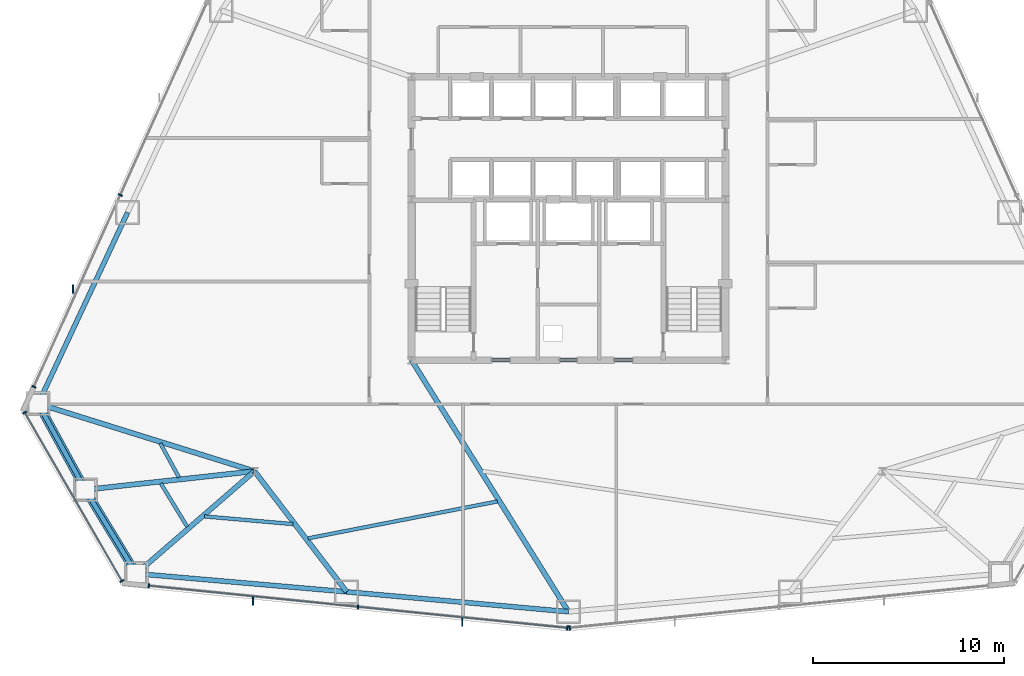
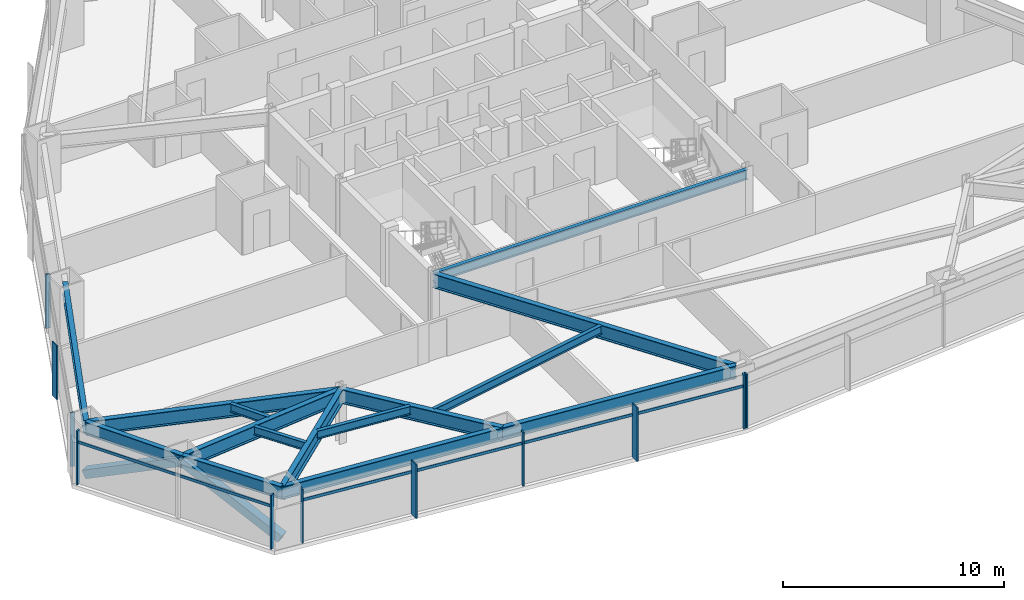
# One storey, part 4 of 12: 15 beams, 15 members, 4 elements without a shape of their own.
"""IFC4 building model written with IfcOpenShell, lengths in metres."""

import ifcopenshell
import ifcopenshell.guid

model = None  # the IFC model being written
_history = None  # IfcOwnerHistory: only IFC2X3 demands one
_inside = {}  # id of a spatial element -> (the spatial element, [elements in it])
_under = {}  # id of a project, library or spatial element -> (it, [spatial elements below it])
_declared = {}  # id of a project -> (the project, [libraries it declares])
_typed = {}  # id of a type object -> (the type object, [elements of that type])
_made_of = {}  # id of a material, layer set ... -> (it, [elements and type objects made of it])


def new_model(schema):
    """Start an empty IFC model of exactly this schema.

    Asked for "IFC4X3", IfcOpenShell would pick the latest addendum, in which some entities
    have other attributes; the version numbers below select the first issue.
    IFC2X3 requires an IfcOwnerHistory on every rooted entity: one is made here for all.
    """
    global model, _history
    if schema == "IFC4X3":
        model = ifcopenshell.file(schema_version=(4, 3, 0, 0))
    else:
        model = ifcopenshell.file(schema=schema)
    _inside.clear()
    _under.clear()
    _declared.clear()
    _typed.clear()
    _made_of.clear()
    _history = None
    if model.schema == "IFC2X3":
        org = make("IfcOrganization", Name="unknown")
        user = make(
            "IfcPersonAndOrganization",
            ThePerson=make("IfcPerson", FamilyName="unknown"),
            TheOrganization=org,
        )
        app = make(
            "IfcApplication",
            ApplicationDeveloper=org,
            Version="unknown",
            ApplicationFullName="unknown",
            ApplicationIdentifier="unknown",
        )
        _history = make(
            "IfcOwnerHistory",
            OwningUser=user,
            OwningApplication=app,
            ChangeAction="ADDED",
            CreationDate=0,
        )
    return model


def make(cls, **values):
    """One entity of the class cls with the attributes given. An attribute that is None is left unset."""
    return model.create_entity(
        cls, **{name: value for name, value in values.items() if value is not None}
    )


def rooted(cls, **values):
    """An entity with a GlobalId (a new one), such as an element, a storey or a relation."""
    return make(cls, GlobalId=ifcopenshell.guid.new(), OwnerHistory=_history, **values)


def si_unit(unit_type, name, prefix=None):
    """IfcSIUnit, for example si_unit("LENGTHUNIT", "METRE", prefix="MILLI")."""
    return make("IfcSIUnit", UnitType=unit_type, Prefix=prefix, Name=name)


def assignment(units):
    """IfcUnitAssignment: the units of a project."""
    return None if units is None else make("IfcUnitAssignment", Units=units)


def point(xyz):
    """IfcCartesianPoint."""
    return None if xyz is None else make("IfcCartesianPoint", Coordinates=xyz)


def direction(xyz):
    """IfcDirection."""
    return None if xyz is None else make("IfcDirection", DirectionRatios=xyz)


def frame(location, z_axis=None, x_axis=None):
    """IfcAxis2Placement3D, a coordinate frame: its origin and axes. An axis left out is left unset."""
    return make(
        "IfcAxis2Placement3D",
        Location=point(location),
        Axis=direction(z_axis),
        RefDirection=direction(x_axis),
    )


def frame_2d(location, x_axis=None):
    """IfcAxis2Placement2D, a coordinate frame in the plane: its origin and x axis."""
    return make(
        "IfcAxis2Placement2D", Location=point(location), RefDirection=direction(x_axis)
    )


def origin():
    """The frame at (0, 0, 0) with its axes left unset."""
    return frame((0.0, 0.0, 0.0))


def origin_2d():
    """The frame at (0, 0) in the plane with its x axis left unset."""
    return frame_2d((0.0, 0.0))


def place(relative_to, where):
    """IfcLocalPlacement: puts the frame where relative to a parent placement (None: the world)."""
    return make(
        "IfcLocalPlacement", PlacementRelTo=relative_to, RelativePlacement=where
    )


def context(
    kind, dimensions, precision=None, world=None, true_north=None, identifier=None
):
    """IfcGeometricRepresentationContext, for example the 3D "Model" context."""
    return make(
        "IfcGeometricRepresentationContext",
        ContextIdentifier=identifier,
        ContextType=kind,
        CoordinateSpaceDimension=dimensions,
        Precision=precision,
        WorldCoordinateSystem=world,
        TrueNorth=true_north,
    )


def subcontext(parent, identifier, kind, view, scale=None):
    """IfcGeometricRepresentationSubContext, for example "Body" below "Model"."""
    return make(
        "IfcGeometricRepresentationSubContext",
        ContextIdentifier=identifier,
        ContextType=kind,
        ParentContext=parent,
        TargetScale=scale,
        TargetView=view,
    )


def project(units=None, contexts=None):
    """IfcProject with its units and contexts."""
    return rooted(
        "IfcProject",
        Name="project",
        RepresentationContexts=contexts,
        UnitsInContext=assignment(units),
    )


def spatial(cls, under=None, at=None, **own):
    """A site, building, storey or space (cls), placed at a placement, below another one or the project."""
    s = rooted(cls, ObjectPlacement=at, **own)
    if under is not None:
        _under.setdefault(under.id(), (under, []))[1].append(s)
    return s


def profile(cls, at=None, kind="AREA", **sizes):
    """A parametric profile (cls). Its sizes go by their IFC names, for example OverallWidth=200.0."""
    return make(cls, ProfileType=kind, Position=at, **sizes)


def rectangle(**sizes):
    """IfcRectangleProfileDef."""
    return profile("IfcRectangleProfileDef", **sizes)


def hollow_rectangle(**sizes):
    """IfcRectangleHollowProfileDef."""
    return profile("IfcRectangleHollowProfileDef", **sizes)


def i_section(**sizes):
    """IfcIShapeProfileDef."""
    return profile("IfcIShapeProfileDef", **sizes)


def extrude(swept, where, along, depth):
    """IfcExtrudedAreaSolid: the profile swept, set in the frame where, extruded along a direction by depth."""
    return make(
        "IfcExtrudedAreaSolid",
        SweptArea=swept,
        Position=where,
        ExtrudedDirection=direction(along),
        Depth=depth,
    )


def shape(context_of_items, identifier, shape_type, items):
    """IfcShapeRepresentation: the items that make up one representation, for example the "Body"."""
    return make(
        "IfcShapeRepresentation",
        ContextOfItems=context_of_items,
        RepresentationIdentifier=identifier,
        RepresentationType=shape_type,
        Items=items,
    )


def source(mapping_origin, context_of_items, identifier, shape_type, items):
    """IfcRepresentationMap: a shape defined once, which mapped items show again and again."""
    return make(
        "IfcRepresentationMap",
        MappingOrigin=mapping_origin,
        MappedRepresentation=shape(context_of_items, identifier, shape_type, items),
    )


def transform(
    local_origin,
    x_axis=None,
    y_axis=None,
    z_axis=None,
    scale=None,
    scale2=None,
    scale3=None,
    uniform=True,
):
    """IfcCartesianTransformationOperator3D, or its non-uniform kind. x_axis, y_axis, z_axis: its Axis1, 2, 3."""
    if uniform:
        return make(
            "IfcCartesianTransformationOperator3D",
            Axis1=direction(x_axis),
            Axis2=direction(y_axis),
            LocalOrigin=point(local_origin),
            Scale=scale,
            Axis3=direction(z_axis),
        )
    return make(
        "IfcCartesianTransformationOperator3DnonUniform",
        Axis1=direction(x_axis),
        Axis2=direction(y_axis),
        LocalOrigin=point(local_origin),
        Scale=scale,
        Axis3=direction(z_axis),
        Scale2=scale2,
        Scale3=scale3,
    )


def mapped(mapping_source, mapping_target):
    """IfcMappedItem: shows the shape of a source again, moved by a transform."""
    return make(
        "IfcMappedItem", MappingSource=mapping_source, MappingTarget=mapping_target
    )


def material(Name=None, Category=None):
    """IfcMaterial."""
    return make("IfcMaterial", Name=Name, Category=Category)


def layer(
    of_material, thickness, ventilated=None, Name=None, Category=None, Priority=None
):
    """IfcMaterialLayer: one layer of a wall or slab, of a material (None: an air gap)."""
    return make(
        "IfcMaterialLayer",
        Material=of_material,
        LayerThickness=thickness,
        IsVentilated=ventilated,
        Name=Name,
        Category=Category,
        Priority=Priority,
    )


def layer_set(layers, Name=None):
    """IfcMaterialLayerSet."""
    return make("IfcMaterialLayerSet", MaterialLayers=layers, LayerSetName=Name)


def material_profile(
    of_material, cross_section, Name=None, Category=None, Priority=None
):
    """IfcMaterialProfile: a cross section and its material."""
    return make(
        "IfcMaterialProfile",
        Name=Name,
        Material=of_material,
        Profile=cross_section,
        Priority=Priority,
        Category=Category,
    )


def profile_set(profiles, Name=None, composite=None):
    """IfcMaterialProfileSet."""
    return make(
        "IfcMaterialProfileSet",
        Name=Name,
        MaterialProfiles=profiles,
        CompositeProfile=composite,
    )


def made_of(thing, what):
    """Note that an element or type object is made of a material, layer set ...; save() writes the relation."""
    if what is not None:
        _made_of.setdefault(what.id(), (what, []))[1].append(thing)
    return thing


def type_object(cls, material=None, **own):
    """A type object (cls), such as IfcWallType, which elements share."""
    return made_of(rooted(cls, **own), material)


def type_shapes(of_type, sources):
    """Give a type object the sources (RepresentationMaps) that its elements show as mapped items."""
    of_type.RepresentationMaps = sources


def element(
    cls,
    number,
    at=None,
    inside=None,
    cuts=None,
    type_object=None,
    material=None,
    context=None,
    identifier="Body",
    shape_type=None,
    held_by="IfcProductDefinitionShape",
    body=None,
    shapes=None,
    **own,
):
    """One element of the class cls, such as IfcWall. Its Tag is "e" and its number.

    at: its placement. inside: the storey or other place that contains it. cuts: it is an
    opening in that element (IfcRelVoidsElement). A single representation is given by context,
    identifier, shape_type and body (its items); several are given by shapes. held_by: the class
    of the entity that holds the representations. save() writes the other relations.
    """
    e = rooted(cls, Tag="e%d" % number, ObjectPlacement=at, **own)
    if body is not None:
        shapes = [shape(context, identifier, shape_type, body)]
    if shapes is not None:
        e.Representation = make(held_by, Representations=shapes)
    if inside is not None:
        _inside.setdefault(inside.id(), (inside, []))[1].append(e)
    if cuts is not None:
        rooted(
            "IfcRelVoidsElement", RelatingBuildingElement=cuts, RelatedOpeningElement=e
        )
    if type_object is not None:
        _typed.setdefault(type_object.id(), (type_object, []))[1].append(e)
    return made_of(e, material)


def aggregate(whole, parts):
    """IfcRelAggregates: a whole, such as a stair, and the parts it consists of."""
    return rooted("IfcRelAggregates", RelatingObject=whole, RelatedObjects=parts)


def save(model, path):
    """Write the relations noted so far, then the file.

    IfcRelAggregates (storeys below a building ...), IfcRelContainedInSpatialStructure (elements
    in a storey), IfcRelDefinesByType, IfcRelAssociatesMaterial and IfcRelDeclares: one each for
    every whole, place, type object, material and project.
    """
    for whole, parts in _under.values():
        aggregate(whole, parts)
    for where, things in _inside.values():
        rooted(
            "IfcRelContainedInSpatialStructure",
            RelatedElements=things,
            RelatingStructure=where,
        )
    for kind, things in _typed.values():
        rooted("IfcRelDefinesByType", RelatedObjects=things, RelatingType=kind)
    for what, things in _made_of.values():
        rooted("IfcRelAssociatesMaterial", RelatedObjects=things, RelatingMaterial=what)
    for by, libraries in _declared.values():
        rooted("IfcRelDeclares", RelatingContext=by, RelatedDefinitions=libraries)
    model.write(path)


model = new_model("IFC4")

# Units and contexts
model_context = context("Model", 3, precision=1e-05, world=origin(), true_north=direction((0.0, 1.0)))
body_context = subcontext(model_context, "Body", "Model", "MODEL_VIEW")
ifc_project = project(units=[si_unit("LENGTHUNIT", "METRE"), si_unit("AREAUNIT", "SQUARE_METRE"), si_unit("VOLUMEUNIT", "CUBIC_METRE"), si_unit("PLANEANGLEUNIT", "RADIAN"), si_unit("MASSUNIT", "GRAM", prefix="KILO")], contexts=[model_context])

# Site, building, storey
site_placement = place(None, origin())
site = spatial("IfcSite", under=ifc_project, at=site_placement, CompositionType="ELEMENT")
building_placement = place(site_placement, origin())
building = spatial("IfcBuilding", under=site, at=building_placement, Name="Varakhsha Concourse Tower", CompositionType="ELEMENT")
storey_placement = place(building_placement, frame((0.0, 0.0, 33.60009765625)))
storey = spatial("IfcBuildingStorey", under=building, at=storey_placement, Name="L08", CompositionType="ELEMENT", Elevation=33.60009765625)

# Beams
ifc_material_1 = material(Name="Structural Steel ASTM A992 Grade 50", Category="steel")
ifc_material_profile_1 = material_profile(ifc_material_1, i_section(OverallWidth=0.26611328125, OverallDepth=0.779052734375, WebThickness=0.01708984375, FlangeThickness=0.030029296875, at=origin_2d()), Name="W30X148")
ifc_profile_set_1 = profile_set([ifc_material_profile_1], Name="Structural Steel ASTM A992 Grade 50")
beam_type_1 = type_object("IfcBeamType", Name="BM-BASE-W30X148", PredefinedType="USERDEFINED", material=ifc_profile_set_1)
beam_1_placement = place(storey_placement, frame((23.60009765625, 10.60009765625, 2.59033203125), z_axis=(-0.954595165952, 0.297906141495, 0.0), x_axis=(-0.297906141495, -0.954595165952, 0.0)))
element("IfcBeam", 1, at=beam_1_placement, inside=storey, type_object=beam_type_1, Name="L08 Radial Floor Girder 07", ObjectType="GIRDER", PredefinedType="USERDEFINED", context=body_context, shape_type="SweptSolid", body=[
    extrude(i_section(OverallWidth=0.26611328125, OverallDepth=0.779052734375, WebThickness=0.01708984375, FlangeThickness=0.030029296875, at=origin_2d()), origin(), (0.0, 0.0, 1.0), 11.834716796875),
])
beam_2_placement = place(storey_placement, frame((23.60009765625, 10.60009765625, 2.59033203125), z_axis=(-0.994025918026, -0.109144281995, 0.0), x_axis=(0.109144281995, -0.994025918026, 0.0)))
element("IfcBeam", 2, at=beam_2_placement, inside=storey, type_object=beam_type_1, Name="L08 Radial Floor Girder 08", ObjectType="GIRDER", PredefinedType="USERDEFINED", context=body_context, shape_type="SweptSolid", body=[
    extrude(i_section(OverallWidth=0.26611328125, OverallDepth=0.779052734375, WebThickness=0.01708984375, FlangeThickness=0.030029296875, at=origin_2d()), origin(), (0.0, 0.0, 1.0), 8.889404296875),
])
beam_3_placement = place(storey_placement, frame((23.60009765625, 10.60009765625, 2.59033203125), z_axis=(-0.755728528056, -0.65488502188, 0.0), x_axis=(0.65488502188, -0.755728528056, 0.0)))
element("IfcBeam", 3, at=beam_3_placement, inside=storey, type_object=beam_type_1, Name="L08 Radial Floor Girder 09", ObjectType="GIRDER", PredefinedType="USERDEFINED", context=body_context, shape_type="SweptSolid", body=[
    extrude(i_section(OverallWidth=0.26611328125, OverallDepth=0.779052734375, WebThickness=0.01708984375, FlangeThickness=0.030029296875, at=origin_2d()), origin(), (0.0, 0.0, 1.0), 8.16845703125),
])
beam_4_placement = place(storey_placement, frame((23.60009765625, 10.60009765625, 2.59033203125), z_axis=(0.607124337511, -0.794606845428, 0.0), x_axis=(0.794606845428, 0.607124337511, 0.0)))
element("IfcBeam", 4, at=beam_4_placement, inside=storey, type_object=beam_type_1, Name="L08 Radial Floor Girder 10", ObjectType="GIRDER", PredefinedType="USERDEFINED", context=body_context, shape_type="SweptSolid", body=[
    extrude(i_section(OverallWidth=0.26611328125, OverallDepth=0.779052734375, WebThickness=0.01708984375, FlangeThickness=0.030029296875, at=origin_2d()), origin(), (0.0, 0.0, 1.0), 7.92919921875),
])
beam_5_placement = place(storey_placement, frame((31.800048828125, 16.39990234375, 2.59033203125), z_axis=(0.52941931836, -0.84836029218, 0.0), x_axis=(0.84836029218, 0.52941931836, 0.0)))
element("IfcBeam", 5, at=beam_5_placement, inside=storey, type_object=beam_type_1, Name="L08 Radial Floor Girder 11", ObjectType="GIRDER", PredefinedType="USERDEFINED", context=body_context, shape_type="SweptSolid", body=[
    extrude(i_section(OverallWidth=0.26611328125, OverallDepth=0.779052734375, WebThickness=0.01708984375, FlangeThickness=0.030029296875, at=origin_2d()), origin(), (0.0, 0.0, 1.0), 15.488525390625),
])
ifc_material_profile_2 = material_profile(ifc_material_1, i_section(OverallWidth=0.19091796875, OverallDepth=0.45703125, WebThickness=0.009033203125, FlangeThickness=0.013916015625, at=origin_2d()), Name="W18X50")
ifc_profile_set_2 = profile_set([ifc_material_profile_2], Name="Structural Steel ASTM A992 Grade 50")
beam_type_2 = type_object("IfcBeamType", Name="BM-JST-W18X50", PredefinedType="JOIST", material=ifc_profile_set_2)
beam_6_placement = place(storey_placement, frame((18.68212890625, 12.054931640625, 2.75146484375), z_axis=(0.480061927363, -0.877234601402, 0.0), x_axis=(0.877234601402, 0.480061927363, 0.0)))
element("IfcBeam", 6, at=beam_6_placement, inside=storey, type_object=beam_type_2, Name="BM-TJST-L08-07", PredefinedType="JOIST", context=body_context, shape_type="SweptSolid", body=[
    extrude(i_section(OverallWidth=0.19091796875, OverallDepth=0.45703125, WebThickness=0.009033203125, FlangeThickness=0.013916015625, at=origin_2d()), origin(), (0.0, 0.0, 1.0), 2.03515625),
])
beam_7_placement = place(storey_placement, frame((18.708984375, 9.962890625, 2.75146484375), z_axis=(0.519566972443, -0.854429728618, 0.0), x_axis=(0.854429728618, 0.519566972443, 0.0)))
element("IfcBeam", 7, at=beam_7_placement, inside=storey, type_object=beam_type_2, Name="BM-TJST-L08-08", PredefinedType="JOIST", context=body_context, shape_type="SweptSolid", body=[
    extrude(i_section(OverallWidth=0.19091796875, OverallDepth=0.45703125, WebThickness=0.009033203125, FlangeThickness=0.013916015625, at=origin_2d()), origin(), (0.0, 0.0, 1.0), 2.650146484375),
])
beam_8_placement = place(storey_placement, frame((20.993408203125, 8.23681640625, 2.75146484375), z_axis=(0.996276100102, -0.08622025496, 0.0), x_axis=(0.08622025496, 0.996276100102, 0.0)))
element("IfcBeam", 8, at=beam_8_placement, inside=storey, type_object=beam_type_2, Name="BM-TJST-L08-09", PredefinedType="JOIST", context=body_context, shape_type="SweptSolid", body=[
    extrude(i_section(OverallWidth=0.19091796875, OverallDepth=0.45703125, WebThickness=0.009033203125, FlangeThickness=0.013916015625, at=origin_2d()), origin(), (0.0, 0.0, 1.0), 4.632568359375),
])
beam_9_placement = place(storey_placement, frame((26.40380859375, 7.0927734375, 2.75146484375), z_axis=(0.981492370996, 0.191501241972, 0.0), x_axis=(-0.191501241972, 0.981492370996, 0.0)))
element("IfcBeam", 9, at=beam_9_placement, inside=storey, type_object=beam_type_2, Name="BM-TJST-L08-10", PredefinedType="JOIST", context=body_context, shape_type="SweptSolid", body=[
    extrude(i_section(OverallWidth=0.19091796875, OverallDepth=0.45703125, WebThickness=0.009033203125, FlangeThickness=0.013916015625, at=origin_2d()), origin(), (0.0, 0.0, 1.0), 10.06640625),
])
ifc_material_profile_3 = material_profile(ifc_material_1, i_section(OverallWidth=0.2109375, OverallDepth=0.5390625, WebThickness=0.011962890625, FlangeThickness=0.01904296875, at=origin_2d()), Name="W21X73")
ifc_profile_set_3 = profile_set([ifc_material_profile_3], Name="Structural Steel ASTM A992 Grade 50")
beam_type_3 = type_object("IfcBeamType", Name="BM-RAD-W21X73", PredefinedType="BEAM", material=ifc_profile_set_3)
beam_10_placement = place(storey_placement, frame((31.800048828125, 16.39990234375, 2.71044921875), z_axis=(1.0, 0.0, 0.0), x_axis=(0.0, 1.0, 0.0)))
element("IfcBeam", 10, at=beam_10_placement, inside=storey, type_object=beam_type_3, Name="BM-TCORE-L08-CS", PredefinedType="BEAM", context=body_context, shape_type="SweptSolid", body=[
    extrude(i_section(OverallWidth=0.2109375, OverallDepth=0.5390625, WebThickness=0.011962890625, FlangeThickness=0.01904296875, at=origin_2d()), origin(), (0.0, 0.0, 1.0), 16.39990234375),
])
ifc_material_profile_4 = material_profile(ifc_material_1, i_section(OverallWidth=0.25390625, OverallDepth=0.701904296875, WebThickness=0.014892578125, FlangeThickness=0.028076171875, at=origin_2d()), Name="W27X129")
ifc_profile_set_4 = profile_set([ifc_material_profile_4], Name="Structural Steel ASTM A992 Grade 50")
beam_type_4 = type_object("IfcBeamType", Name="BM-SPAN-W27X129", PredefinedType="SPANDREL", material=ifc_profile_set_4)
beam_11_placement = place(storey_placement, frame((16.972900390625, 24.116455078125, 2.62890625), z_axis=(-0.423468305163, -0.90591091975, 0.0), x_axis=(0.90591091975, -0.423468305163, 0.0)))
element("IfcBeam", 11, at=beam_11_placement, inside=storey, type_object=beam_type_4, Name="BM-SPAN-L08-06", PredefinedType="SPANDREL", context=body_context, shape_type="SweptSolid", body=[
    extrude(i_section(OverallWidth=0.25390625, OverallDepth=0.701904296875, WebThickness=0.014892578125, FlangeThickness=0.028076171875, at=origin_2d()), origin(), (0.0, 0.0, 1.0), 11.0283203125),
])
beam_12_placement = place(storey_placement, frame((12.302734375, 14.125732421875, 2.62890625), z_axis=(0.480189853619, -0.877164582323, 0.0), x_axis=(0.877164582323, 0.480189853619, 0.0)))
element("IfcBeam", 12, at=beam_12_placement, inside=storey, type_object=beam_type_4, Name="BM-SPAN-L08-07", PredefinedType="SPANDREL", context=body_context, shape_type="SweptSolid", body=[
    extrude(i_section(OverallWidth=0.25390625, OverallDepth=0.701904296875, WebThickness=0.014892578125, FlangeThickness=0.028076171875, at=origin_2d()), origin(), (0.0, 0.0, 1.0), 5.12548828125),
])
beam_13_placement = place(storey_placement, frame((14.763916015625, 9.6298828125, 2.62890625), z_axis=(0.519593292706, -0.854413723072, 0.0), x_axis=(0.854413723072, 0.519593292706, 0.0)))
element("IfcBeam", 13, at=beam_13_placement, inside=storey, type_object=beam_type_4, Name="BM-SPAN-L08-08", PredefinedType="SPANDREL", context=body_context, shape_type="SweptSolid", body=[
    extrude(i_section(OverallWidth=0.25390625, OverallDepth=0.701904296875, WebThickness=0.014892578125, FlangeThickness=0.028076171875, at=origin_2d()), origin(), (0.0, 0.0, 1.0), 5.125244140625),
])
beam_14_placement = place(storey_placement, frame((17.427001953125, 5.250732421875, 2.62890625), z_axis=(0.996273577178, -0.086249402411, 0.0), x_axis=(0.086249402411, 0.996273577178, 0.0)))
element("IfcBeam", 14, at=beam_14_placement, inside=storey, type_object=beam_type_4, Name="BM-SPAN-L08-09", PredefinedType="SPANDREL", context=body_context, shape_type="SweptSolid", body=[
    extrude(i_section(OverallWidth=0.25390625, OverallDepth=0.701904296875, WebThickness=0.014892578125, FlangeThickness=0.028076171875, at=origin_2d()), origin(), (0.0, 0.0, 1.0), 11.028076171875),
])
beam_15_placement = place(storey_placement, frame((28.4140625, 4.299560546875, 2.62890625), z_axis=(0.995998835259, -0.089366213767, 0.0), x_axis=(0.089366213767, 0.995998835259, 0.0)))
element("IfcBeam", 15, at=beam_15_placement, inside=storey, type_object=beam_type_4, Name="BM-SPAN-L08-10", PredefinedType="SPANDREL", context=body_context, shape_type="SweptSolid", body=[
    extrude(i_section(OverallWidth=0.25390625, OverallDepth=0.701904296875, WebThickness=0.014892578125, FlangeThickness=0.028076171875, at=origin_2d()), origin(), (0.0, 0.0, 1.0), 11.632568359375),
])

# Members
ifc_material_2 = material(Name="Structural Steel ASTM A500 Grade C", Category="steel")
ifc_material_profile_5 = material_profile(ifc_material_2, hollow_rectangle(XDim=0.449951171875, YDim=0.449951171875, WallThickness=0.01904296875, at=origin_2d()), Name="HSS 450x450x19")
ifc_profile_set_5 = profile_set([ifc_material_profile_5], Name="Structural Steel ASTM A500 Grade C")
member_type_1 = type_object("IfcMemberType", Name="MB-TUBE-HSS450", PredefinedType="BRACE", material=ifc_profile_set_5)
shared_shape_1 = source(origin(), body_context, "Body", "SweptSolid", [
    extrude(hollow_rectangle(XDim=0.449951171875, YDim=0.449951171875, WallThickness=0.01904296875, at=origin_2d()), origin(), (0.0, 0.0, 1.0), 5.729248046875),
])
type_shapes(member_type_1, [shared_shape_1])
for number, where, z_axis, x_axis, name in (
    (16, (12.302734375, 14.125732421875, 0.119873046875), (0.429583958076, -0.78472260569, 0.446842315681), (0.877164582323, 0.480189853619, 0.0), "L08 Wind-Corner Tube Brace B03"),
    (17, (17.427001953125, 5.250732421875, 0.119873046875), (-0.464832843975, 0.764366219507, 0.446849761819), (-0.854413723072, -0.519593292706, 0.0), "L08 Wind-Corner Tube Brace B04"),
):
    element("IfcMember", number, at=place(storey_placement, frame(where, z_axis=z_axis, x_axis=x_axis)), inside=storey, type_object=member_type_1, Name=name, PredefinedType="BRACE", context=body_context, shape_type="MappedRepresentation", body=[
        mapped(shared_shape_1, transform((0.0, 0.0, 0.0), scale=1.0)),
    ])

# Curtain wall, members
ifc_material_3 = material(Name="Anodised Bronze Architectural Aluminium AA 6063-T6", Category="aluminium")
ifc_layer = layer(ifc_material_3, 0.219970703125, Name="CW-SYS-02")
ifc_layer_set = layer_set([ifc_layer], Name="Anodised Bronze Architectural Aluminium AA 6063-T6")
curtain_wall_type = type_object("IfcCurtainWallType", Name="CW-SYS-02", PredefinedType="NOTDEFINED", material=ifc_layer_set)
curtain_wall_1_placement = place(storey_placement, origin())
curtain_wall_1 = element("IfcCurtainWall", 18, at=curtain_wall_1_placement, inside=storey, type_object=curtain_wall_type, Name="L08 Crystal Curtain Wall F3", PredefinedType="NOTDEFINED")
ifc_material_profile_6 = material_profile(ifc_material_3, rectangle(XDim=0.074951171875, YDim=0.219970703125, at=origin_2d()), Name="CWM-220X75")
ifc_profile_set_6 = profile_set([ifc_material_profile_6], Name="Anodised Bronze Architectural Aluminium AA 6063-T6")
member_type_2 = type_object("IfcMemberType", Name="CWM-220X75", PredefinedType="MULLION", material=ifc_profile_set_6)
shared_shape_2 = source(origin(), body_context, "Body", "SweptSolid", [
    extrude(rectangle(XDim=0.074951171875, YDim=0.219970703125, at=origin_2d()), origin(), (0.0, 0.0, 1.0), 2.97998046875),
])
type_shapes(member_type_2, [shared_shape_2])
member_1_placement = place(storey_placement, frame((12.080810546875, 15.0087890625, 0.0), z_axis=(0.0, 0.0, 1.0), x_axis=(0.410683843161, 0.911777813377, 0.0)))
member_1 = element("IfcMember", 19, at=member_1_placement, type_object=member_type_2, Name="CW-L08-F3 Mullion 00", PredefinedType="MULLION", context=body_context, shape_type="MappedRepresentation", body=[
    mapped(shared_shape_2, transform((0.0, 0.0, 0.0), scale=1.0)),
])
member_2_placement = place(storey_placement, frame((16.59130859375, 25.023193359375, 0.0), z_axis=(0.0, 0.0, 1.0), x_axis=(0.410683843161, 0.911777813377, 0.0)))
member_2 = element("IfcMember", 20, at=member_2_placement, type_object=member_type_2, Name="CW-L08-F3 Mullion 01", PredefinedType="MULLION", context=body_context, shape_type="MappedRepresentation", body=[
    mapped(shared_shape_2, transform((0.0, 0.0, 0.0), scale=1.0)),
])

curtain_wall_2_placement = place(storey_placement, origin())
curtain_wall_2 = element("IfcCurtainWall", 21, at=curtain_wall_2_placement, inside=storey, type_object=curtain_wall_type, Name="L08 Chamfer Curtain Wall F4", PredefinedType="NOTDEFINED")
member_3_placement = place(storey_placement, frame((16.680419921875, 4.87060546875, 0.0), z_axis=(0.0, 0.0, 1.0), x_axis=(-0.499996976998, 0.866027149108, 0.0)))
member_3 = element("IfcMember", 22, at=member_3_placement, type_object=member_type_2, Name="CW-L08-F4 Mullion 00", PredefinedType="MULLION", context=body_context, shape_type="MappedRepresentation", body=[
    mapped(shared_shape_2, transform((0.0, 0.0, 0.0), scale=1.0)),
])
member_4_placement = place(storey_placement, frame((11.600341796875, 13.66943359375, 0.0), z_axis=(0.0, 0.0, 1.0), x_axis=(-0.499996976998, 0.866027149108, 0.0)))
member_4 = element("IfcMember", 23, at=member_4_placement, type_object=member_type_2, Name="CW-L08-F4 Mullion 01", PredefinedType="MULLION", context=body_context, shape_type="MappedRepresentation", body=[
    mapped(shared_shape_2, transform((0.0, 0.0, 0.0), scale=1.0)),
])

curtain_wall_3_placement = place(storey_placement, origin())
curtain_wall_3 = element("IfcCurtainWall", 24, at=curtain_wall_3_placement, inside=storey, type_object=curtain_wall_type, Name="L08 Crystal Curtain Wall F5", PredefinedType="NOTDEFINED")
member_5_placement = place(storey_placement, frame((39.936279296875, 2.415283203125, 0.0), z_axis=(0.0, 0.0, 1.0), x_axis=(-0.994964670572, 0.100226265587, 0.0)))
member_5 = element("IfcMember", 25, at=member_5_placement, type_object=member_type_2, Name="CW-L08-F5 Mullion 00", PredefinedType="MULLION", context=body_context, shape_type="MappedRepresentation", body=[
    mapped(shared_shape_2, transform((0.0, 0.0, 0.0), scale=1.0)),
])
member_6_placement = place(storey_placement, frame((29.008544921875, 3.51611328125, 0.0), z_axis=(0.0, 0.0, 1.0), x_axis=(-0.994964670572, 0.100226265587, 0.0)))
member_6 = element("IfcMember", 26, at=member_6_placement, type_object=member_type_2, Name="CW-L08-F5 Mullion 01", PredefinedType="MULLION", context=body_context, shape_type="MappedRepresentation", body=[
    mapped(shared_shape_2, transform((0.0, 0.0, 0.0), scale=1.0)),
])
member_7_placement = place(storey_placement, frame((18.080810546875, 4.61669921875, 0.0), z_axis=(0.0, 0.0, 1.0), x_axis=(-0.994964670572, 0.100226265587, 0.0)))
member_7 = element("IfcMember", 27, at=member_7_placement, type_object=member_type_2, Name="CW-L08-F5 Mullion 02", PredefinedType="MULLION", context=body_context, shape_type="MappedRepresentation", body=[
    mapped(shared_shape_2, transform((0.0, 0.0, 0.0), scale=1.0)),
])

# Curtain wall, member
curtain_wall_4_placement = place(storey_placement, origin())
curtain_wall_4 = element("IfcCurtainWall", 28, at=curtain_wall_4_placement, inside=storey, type_object=curtain_wall_type, Name="L08 Crystal Curtain Wall F6", PredefinedType="NOTDEFINED")
member_8_placement = place(storey_placement, frame((40.063720703125, 2.415283203125, 0.0), z_axis=(0.0, 0.0, 1.0), x_axis=(-0.994964670572, -0.100226265587, 0.0)))
member_8 = element("IfcMember", 29, at=member_8_placement, type_object=member_type_2, Name="CW-L08-F6 Mullion 02", PredefinedType="MULLION", context=body_context, shape_type="MappedRepresentation", body=[
    mapped(shared_shape_2, transform((0.0, 0.0, 0.0), scale=1.0)),
])
aggregate(curtain_wall_4, [member_8])

# Member
ifc_material_profile_7 = material_profile(ifc_material_3, rectangle(XDim=0.06494140625, YDim=0.159912109375, at=origin_2d()), Name="CWT-160X65")
ifc_profile_set_7 = profile_set([ifc_material_profile_7], Name="Anodised Bronze Architectural Aluminium AA 6063-T6")
member_type_3 = type_object("IfcMemberType", Name="CWT-160X65", PredefinedType="USERDEFINED", material=ifc_profile_set_7)
shared_shape_3 = source(origin(), body_context, "Body", "SweptSolid", [
    extrude(rectangle(XDim=0.06494140625, YDim=0.159912109375, at=origin_2d()), origin(), (0.0, 0.0, 1.0), 10.16015625),
])
member_9_placement = place(storey_placement, frame((16.680419921875, 4.87060546875, 2.329833984375), z_axis=(-0.500005339912, 0.866022320763, 0.0), x_axis=(-0.866022320763, -0.500005339912, 0.0)))
member_9 = element("IfcMember", 30, at=member_9_placement, type_object=member_type_3, Name="CW-L08-F4 Transom 01", ObjectType="TRANSOM", PredefinedType="USERDEFINED", context=body_context, shape_type="MappedRepresentation", body=[
    mapped(shared_shape_3, transform((0.0, 0.0, 0.0), scale=1.0)),
])

aggregate(curtain_wall_2, [member_3, member_4, member_9])

ifc_material_profile_8 = material_profile(ifc_material_3, rectangle(XDim=0.06494140625, YDim=0.449951171875, at=origin_2d()), Name="FIN-BRZ-450")
ifc_profile_set_8 = profile_set([ifc_material_profile_8], Name="Anodised Bronze Architectural Aluminium AA 6063-T6")
member_type_4 = type_object("IfcMemberType", Name="FIN-BRZ-450", PredefinedType="USERDEFINED", material=ifc_profile_set_8)
shared_shape_4 = source(origin(), body_context, "Body", "SweptSolid", [
    extrude(rectangle(XDim=0.06494140625, YDim=0.449951171875, at=origin_2d()), origin(), (0.0, 0.0, 1.0), 2.97998046875),
])
type_shapes(member_type_4, [shared_shape_4])
member_10_placement = place(storey_placement, frame((14.1171875, 20.114501953125, 0.0), z_axis=(0.0, 0.0, 1.0), x_axis=(1.0, 0.0, 0.0)))
member_10 = element("IfcMember", 31, at=member_10_placement, type_object=member_type_4, Name="L08 Anodised Bronze Solar Fin F3-1", ObjectType="SOLAR FIN", PredefinedType="USERDEFINED", context=body_context, shape_type="MappedRepresentation", body=[
    mapped(shared_shape_4, transform((0.0, 0.0, 0.0), scale=1.0)),
])

aggregate(curtain_wall_1, [member_1, member_2, member_10])

member_11_placement = place(storey_placement, frame((34.448486328125, 2.726806640625, 0.0), z_axis=(0.0, 0.0, 1.0), x_axis=(1.0, 0.0, 0.0)))
member_11 = element("IfcMember", 32, at=member_11_placement, type_object=member_type_4, Name="L08 Anodised Bronze Solar Fin F5-1", ObjectType="SOLAR FIN", PredefinedType="USERDEFINED", context=body_context, shape_type="MappedRepresentation", body=[
    mapped(shared_shape_4, transform((0.0, 0.0, 0.0), scale=1.0)),
])

member_12_placement = place(storey_placement, frame((23.5205078125, 3.82763671875, 0.0), z_axis=(0.0, 0.0, 1.0), x_axis=(1.0, 0.0, 0.0)))
member_12 = element("IfcMember", 33, at=member_12_placement, type_object=member_type_4, Name="L08 Anodised Bronze Solar Fin F5-2", ObjectType="SOLAR FIN", PredefinedType="USERDEFINED", context=body_context, shape_type="MappedRepresentation", body=[
    mapped(shared_shape_4, transform((0.0, 0.0, 0.0), scale=1.0)),
])

shared_shape_5 = source(origin(), body_context, "Body", "SweptSolid", [
    extrude(rectangle(XDim=0.06494140625, YDim=0.159912109375, at=origin_2d()), origin(), (0.0, 0.0, 1.0), 21.966064453125),
])
type_shapes(member_type_3, [shared_shape_3, shared_shape_5])
member_13_placement = place(storey_placement, frame((39.936279296875, 2.415283203125, 2.329833984375), z_axis=(-0.99496540449, 0.100218979583, 0.0), x_axis=(-0.100218979583, -0.99496540449, 0.0)))
member_13 = element("IfcMember", 34, at=member_13_placement, type_object=member_type_3, Name="CW-L08-F5 Transom 01", ObjectType="TRANSOM", PredefinedType="USERDEFINED", context=body_context, shape_type="MappedRepresentation", body=[
    mapped(shared_shape_5, transform((0.0, 0.0, 0.0), scale=1.0)),
])

aggregate(curtain_wall_3, [member_5, member_6, member_7, member_13, member_11, member_12])

save(model, "model.ifc")
